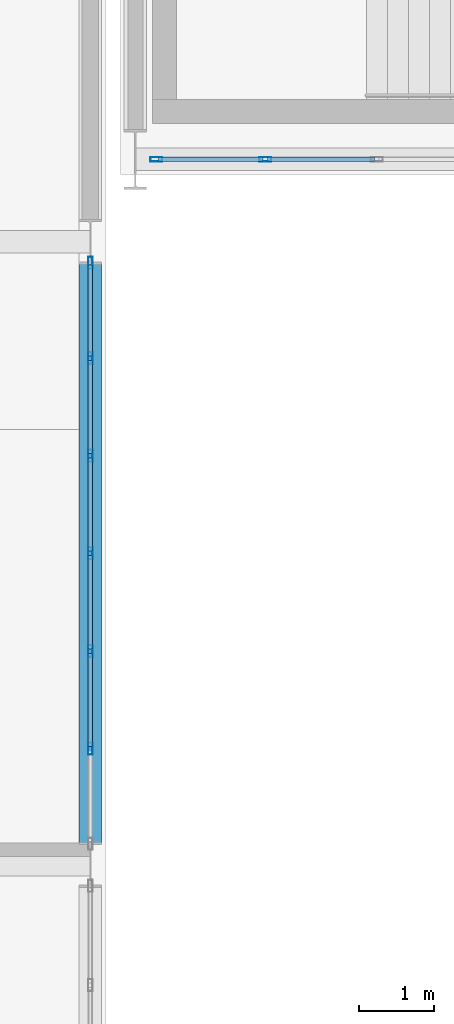
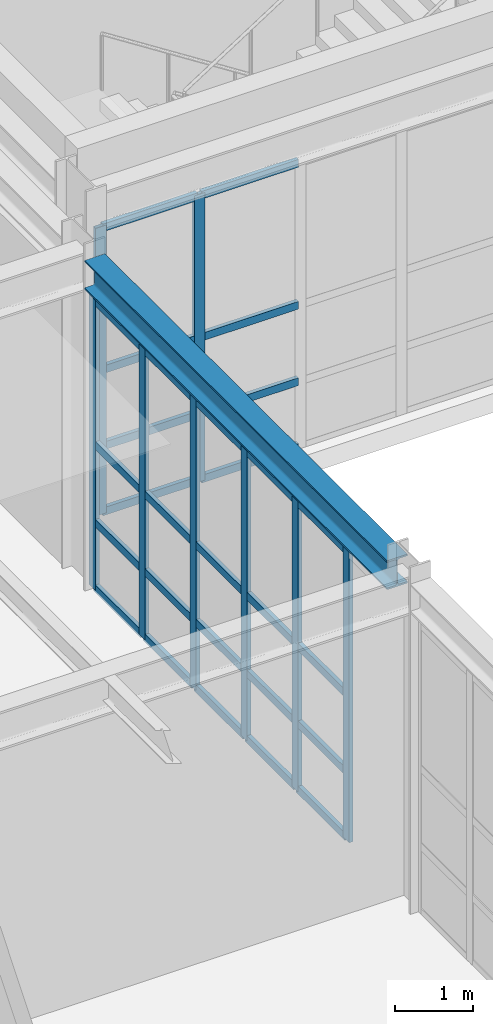
# One storey, part 108 of 210: 36 members, 1 beam, 2 elements without a shape of their own.
"""IFC4 building model written with IfcOpenShell, lengths in metres."""

from ifc_helpers import new_model, si_unit, direction, frame, origin, origin_2d, place, context, subcontext, project, spatial, hollow_rectangle, i_section, extrude, material, material_profile, profile_set, type_object, element, aggregate, save


model = new_model("IFC4")

# Units and contexts
model_context = context("Model", 3, precision=1e-05, world=origin(), true_north=direction((0.0, 1.0)))
body_context = subcontext(model_context, "Body", "Model", "MODEL_VIEW")
ifc_project = project(units=[si_unit("LENGTHUNIT", "METRE"), si_unit("AREAUNIT", "SQUARE_METRE"), si_unit("VOLUMEUNIT", "CUBIC_METRE"), si_unit("PLANEANGLEUNIT", "RADIAN"), si_unit("MASSUNIT", "GRAM", prefix="KILO")], contexts=[model_context])

# Site, building, storey
site_placement = place(None, origin())
site = spatial("IfcSite", under=ifc_project, at=site_placement, CompositionType="ELEMENT")
building_placement = place(site_placement, origin())
building = spatial("IfcBuilding", under=site, at=building_placement, Name="Kaldris Quays Convention Centre", CompositionType="ELEMENT")
storey_placement = place(building_placement, frame((0.0, 0.0, 6.0)))
storey = spatial("IfcBuildingStorey", under=building, at=storey_placement, Name="L01", CompositionType="ELEMENT", Elevation=6.0)

# Curtain wall, members
ifc_material_1 = material(Name="Anodized aluminium AW-6060 and triple glazing", Category="aluminium")
curtain_wall_type_1 = type_object("IfcCurtainWallType", Name="UNITISED CURTAIN WALL CW01", PredefinedType="NOTDEFINED", material=ifc_material_1)
curtain_wall_1_placement = place(storey_placement, origin())
curtain_wall_1 = element("IfcCurtainWall", 1, at=curtain_wall_1_placement, inside=storey, type_object=curtain_wall_type_1, Name="L01 Unitised Curtain Wall CW01 22", PredefinedType="NOTDEFINED")
ifc_material_2 = material(Name="Anodized aluminium AW-6060", Category="aluminium")
ifc_material_profile_1 = material_profile(ifc_material_2, hollow_rectangle(XDim=0.06005859375, YDim=0.159912109375, WallThickness=0.00390625, at=origin_2d()), Name="RHS 160x60x4")
ifc_profile_set_1 = profile_set([ifc_material_profile_1], Name="Anodized aluminium AW-6060")
member_type_1 = type_object("IfcMemberType", Name="CURTAIN MULLION CWM1", PredefinedType="MULLION", material=ifc_profile_set_1)
member_1_placement = place(storey_placement, frame((164.8798828125, 56.0, 0.0), z_axis=(0.0, 0.0, 1.0), x_axis=(0.0, 1.0, 0.0)))
member_1 = element("IfcMember", 2, at=member_1_placement, type_object=member_type_1, Name="CW01 mullion 1", PredefinedType="MULLION", context=body_context, shape_type="SweptSolid", body=[
    extrude(hollow_rectangle(XDim=0.06005859375, YDim=0.159912109375, WallThickness=0.00390625, at=origin_2d()), origin(), (0.0, 0.0, 1.0), 4.47802734375),
])
member_2_placement = place(storey_placement, frame((166.333251953125, 56.0, 0.0), z_axis=(0.0, 0.0, 1.0), x_axis=(0.0, 1.0, 0.0)))
member_2 = element("IfcMember", 3, at=member_2_placement, type_object=member_type_1, Name="CW01 mullion 2", PredefinedType="MULLION", context=body_context, shape_type="SweptSolid", body=[
    extrude(hollow_rectangle(XDim=0.06005859375, YDim=0.159912109375, WallThickness=0.00390625, at=origin_2d()), origin(), (0.0, 0.0, 1.0), 4.47802734375),
])

curtain_wall_type_2 = type_object("IfcCurtainWallType", Name="UNITISED CURTAIN WALL CW04", PredefinedType="NOTDEFINED", material=ifc_material_1)
curtain_wall_2_placement = place(storey_placement, origin())
curtain_wall_2 = element("IfcCurtainWall", 4, at=curtain_wall_2_placement, inside=storey, type_object=curtain_wall_type_2, Name="L01 Unitised Curtain Wall CW04 139", PredefinedType="NOTDEFINED")
member_3_placement = place(storey_placement, frame((164.0, 48.14990234375, 0.0), z_axis=(0.0, 0.0, 1.0), x_axis=(-1.0, 0.0, 0.0)))
member_3 = element("IfcMember", 5, at=member_3_placement, type_object=member_type_1, Name="CW04 mullion 2", PredefinedType="MULLION", context=body_context, shape_type="SweptSolid", body=[
    extrude(hollow_rectangle(XDim=0.06005859375, YDim=0.159912109375, WallThickness=0.00390625, at=origin_2d()), origin(), (0.0, 0.0, 1.0), 4.51806640625),
])
member_4_placement = place(storey_placement, frame((164.0, 49.449951171875, 0.0), z_axis=(0.0, 0.0, 1.0), x_axis=(-1.0, 0.0, 0.0)))
member_4 = element("IfcMember", 6, at=member_4_placement, type_object=member_type_1, Name="CW04 mullion 3", PredefinedType="MULLION", context=body_context, shape_type="SweptSolid", body=[
    extrude(hollow_rectangle(XDim=0.06005859375, YDim=0.159912109375, WallThickness=0.00390625, at=origin_2d()), origin(), (0.0, 0.0, 1.0), 4.51806640625),
])
member_5_placement = place(storey_placement, frame((164.0, 50.75, 0.0), z_axis=(0.0, 0.0, 1.0), x_axis=(-1.0, 0.0, 0.0)))
member_5 = element("IfcMember", 7, at=member_5_placement, type_object=member_type_1, Name="CW04 mullion 4", PredefinedType="MULLION", context=body_context, shape_type="SweptSolid", body=[
    extrude(hollow_rectangle(XDim=0.06005859375, YDim=0.159912109375, WallThickness=0.00390625, at=origin_2d()), origin(), (0.0, 0.0, 1.0), 4.51806640625),
])
member_6_placement = place(storey_placement, frame((164.0, 52.050048828125, 0.0), z_axis=(0.0, 0.0, 1.0), x_axis=(-1.0, 0.0, 0.0)))
member_6 = element("IfcMember", 8, at=member_6_placement, type_object=member_type_1, Name="CW04 mullion 5", PredefinedType="MULLION", context=body_context, shape_type="SweptSolid", body=[
    extrude(hollow_rectangle(XDim=0.06005859375, YDim=0.159912109375, WallThickness=0.00390625, at=origin_2d()), origin(), (0.0, 0.0, 1.0), 4.51806640625),
])
member_7_placement = place(storey_placement, frame((164.0, 53.35009765625, 0.0), z_axis=(0.0, 0.0, 1.0), x_axis=(-1.0, 0.0, 0.0)))
member_7 = element("IfcMember", 9, at=member_7_placement, type_object=member_type_1, Name="CW04 mullion 6", PredefinedType="MULLION", context=body_context, shape_type="SweptSolid", body=[
    extrude(hollow_rectangle(XDim=0.06005859375, YDim=0.159912109375, WallThickness=0.00390625, at=origin_2d()), origin(), (0.0, 0.0, 1.0), 4.51806640625),
])
member_8_placement = place(storey_placement, frame((164.0, 54.6201171875, 0.0), z_axis=(0.0, 0.0, 1.0), x_axis=(-1.0, 0.0, 0.0)))
member_8 = element("IfcMember", 10, at=member_8_placement, type_object=member_type_1, Name="CW04 mullion 7", PredefinedType="MULLION", context=body_context, shape_type="SweptSolid", body=[
    extrude(hollow_rectangle(XDim=0.06005859375, YDim=0.159912109375, WallThickness=0.00390625, at=origin_2d()), origin(), (0.0, 0.0, 1.0), 4.51806640625),
])

# Member
ifc_material_profile_2 = material_profile(ifc_material_2, hollow_rectangle(XDim=0.06005859375, YDim=0.1201171875, WallThickness=0.00390625, at=origin_2d()), Name="RHS 120x60x4")
ifc_profile_set_2 = profile_set([ifc_material_profile_2], Name="Anodized aluminium AW-6060")
member_type_2 = type_object("IfcMemberType", Name="CURTAIN TRANSOM CWT1", PredefinedType="USERDEFINED", material=ifc_profile_set_2)
member_9_placement = place(storey_placement, frame((164.909912109375, 56.0, 0.030029296875), z_axis=(1.0, 0.0, 0.0), x_axis=(0.0, 1.0, 0.0)))
member_9 = element("IfcMember", 11, at=member_9_placement, type_object=member_type_2, Name="CW01 transom 1.1", ObjectType="TRANSOM", PredefinedType="USERDEFINED", context=body_context, shape_type="SweptSolid", body=[
    extrude(hollow_rectangle(XDim=0.06005859375, YDim=0.1201171875, WallThickness=0.00390625, at=origin_2d()), origin(), (0.0, 0.0, 1.0), 1.393310546875),
])

member_10_placement = place(storey_placement, frame((164.909912109375, 56.0, 1.050048828125), z_axis=(1.0, 0.0, 0.0), x_axis=(0.0, 1.0, 0.0)))
member_10 = element("IfcMember", 12, at=member_10_placement, type_object=member_type_2, Name="CW01 transom 1.2", ObjectType="TRANSOM", PredefinedType="USERDEFINED", context=body_context, shape_type="SweptSolid", body=[
    extrude(hollow_rectangle(XDim=0.06005859375, YDim=0.1201171875, WallThickness=0.00390625, at=origin_2d()), origin(), (0.0, 0.0, 1.0), 1.393310546875),
])

member_11_placement = place(storey_placement, frame((164.909912109375, 56.0, 2.239013671875), z_axis=(1.0, 0.0, 0.0), x_axis=(0.0, 1.0, 0.0)))
member_11 = element("IfcMember", 13, at=member_11_placement, type_object=member_type_2, Name="CW01 transom 1.3", ObjectType="TRANSOM", PredefinedType="USERDEFINED", context=body_context, shape_type="SweptSolid", body=[
    extrude(hollow_rectangle(XDim=0.06005859375, YDim=0.1201171875, WallThickness=0.00390625, at=origin_2d()), origin(), (0.0, 0.0, 1.0), 1.393310546875),
])

member_12_placement = place(storey_placement, frame((164.909912109375, 56.0, 4.447998046875), z_axis=(1.0, 0.0, 0.0), x_axis=(0.0, 1.0, 0.0)))
member_12 = element("IfcMember", 14, at=member_12_placement, type_object=member_type_2, Name="CW01 transom 1.4", ObjectType="TRANSOM", PredefinedType="USERDEFINED", context=body_context, shape_type="SweptSolid", body=[
    extrude(hollow_rectangle(XDim=0.06005859375, YDim=0.1201171875, WallThickness=0.00390625, at=origin_2d()), origin(), (0.0, 0.0, 1.0), 1.393310546875),
])

member_13_placement = place(storey_placement, frame((166.36328125, 56.0, 0.030029296875), z_axis=(1.0, 0.0, 0.0), x_axis=(0.0, 1.0, 0.0)))
member_13 = element("IfcMember", 15, at=member_13_placement, type_object=member_type_2, Name="CW01 transom 2.1", ObjectType="TRANSOM", PredefinedType="USERDEFINED", context=body_context, shape_type="SweptSolid", body=[
    extrude(hollow_rectangle(XDim=0.06005859375, YDim=0.1201171875, WallThickness=0.00390625, at=origin_2d()), origin(), (0.0, 0.0, 1.0), 1.42333984375),
])

member_14_placement = place(storey_placement, frame((166.36328125, 56.0, 1.050048828125), z_axis=(1.0, 0.0, 0.0), x_axis=(0.0, 1.0, 0.0)))
member_14 = element("IfcMember", 16, at=member_14_placement, type_object=member_type_2, Name="CW01 transom 2.2", ObjectType="TRANSOM", PredefinedType="USERDEFINED", context=body_context, shape_type="SweptSolid", body=[
    extrude(hollow_rectangle(XDim=0.06005859375, YDim=0.1201171875, WallThickness=0.00390625, at=origin_2d()), origin(), (0.0, 0.0, 1.0), 1.42333984375),
])

member_15_placement = place(storey_placement, frame((166.36328125, 56.0, 2.239013671875), z_axis=(1.0, 0.0, 0.0), x_axis=(0.0, 1.0, 0.0)))
member_15 = element("IfcMember", 17, at=member_15_placement, type_object=member_type_2, Name="CW01 transom 2.3", ObjectType="TRANSOM", PredefinedType="USERDEFINED", context=body_context, shape_type="SweptSolid", body=[
    extrude(hollow_rectangle(XDim=0.06005859375, YDim=0.1201171875, WallThickness=0.00390625, at=origin_2d()), origin(), (0.0, 0.0, 1.0), 1.42333984375),
])

member_16_placement = place(storey_placement, frame((166.36328125, 56.0, 4.447998046875), z_axis=(1.0, 0.0, 0.0), x_axis=(0.0, 1.0, 0.0)))
member_16 = element("IfcMember", 18, at=member_16_placement, type_object=member_type_2, Name="CW01 transom 2.4", ObjectType="TRANSOM", PredefinedType="USERDEFINED", context=body_context, shape_type="SweptSolid", body=[
    extrude(hollow_rectangle(XDim=0.06005859375, YDim=0.1201171875, WallThickness=0.00390625, at=origin_2d()), origin(), (0.0, 0.0, 1.0), 1.42333984375),
])

aggregate(curtain_wall_1, [member_1, member_2, member_9, member_10, member_11, member_12, member_13, member_14, member_15, member_16])

member_17_placement = place(storey_placement, frame((164.0, 48.179931640625, 0.030029296875), z_axis=(0.0, 1.0, 0.0), x_axis=(-1.0, 0.0, 0.0)))
member_17 = element("IfcMember", 19, at=member_17_placement, type_object=member_type_2, Name="CW04 transom 2.1", ObjectType="TRANSOM", PredefinedType="USERDEFINED", context=body_context, shape_type="SweptSolid", body=[
    extrude(hollow_rectangle(XDim=0.06005859375, YDim=0.1201171875, WallThickness=0.00390625, at=origin_2d()), origin(), (0.0, 0.0, 1.0), 1.239990234375),
])

member_18_placement = place(storey_placement, frame((164.0, 48.179931640625, 1.050048828125), z_axis=(0.0, 1.0, 0.0), x_axis=(-1.0, 0.0, 0.0)))
member_18 = element("IfcMember", 20, at=member_18_placement, type_object=member_type_2, Name="CW04 transom 2.2", ObjectType="TRANSOM", PredefinedType="USERDEFINED", context=body_context, shape_type="SweptSolid", body=[
    extrude(hollow_rectangle(XDim=0.06005859375, YDim=0.1201171875, WallThickness=0.00390625, at=origin_2d()), origin(), (0.0, 0.0, 1.0), 1.239990234375),
])

member_19_placement = place(storey_placement, frame((164.0, 48.179931640625, 2.259033203125), z_axis=(0.0, 1.0, 0.0), x_axis=(-1.0, 0.0, 0.0)))
member_19 = element("IfcMember", 21, at=member_19_placement, type_object=member_type_2, Name="CW04 transom 2.3", ObjectType="TRANSOM", PredefinedType="USERDEFINED", context=body_context, shape_type="SweptSolid", body=[
    extrude(hollow_rectangle(XDim=0.06005859375, YDim=0.1201171875, WallThickness=0.00390625, at=origin_2d()), origin(), (0.0, 0.0, 1.0), 1.239990234375),
])

member_20_placement = place(storey_placement, frame((164.0, 48.179931640625, 4.488037109375), z_axis=(0.0, 1.0, 0.0), x_axis=(-1.0, 0.0, 0.0)))
member_20 = element("IfcMember", 22, at=member_20_placement, type_object=member_type_2, Name="CW04 transom 2.4", ObjectType="TRANSOM", PredefinedType="USERDEFINED", context=body_context, shape_type="SweptSolid", body=[
    extrude(hollow_rectangle(XDim=0.06005859375, YDim=0.1201171875, WallThickness=0.00390625, at=origin_2d()), origin(), (0.0, 0.0, 1.0), 1.239990234375),
])

member_21_placement = place(storey_placement, frame((164.0, 49.47998046875, 0.030029296875), z_axis=(0.0, 1.0, 0.0), x_axis=(-1.0, 0.0, 0.0)))
member_21 = element("IfcMember", 23, at=member_21_placement, type_object=member_type_2, Name="CW04 transom 3.1", ObjectType="TRANSOM", PredefinedType="USERDEFINED", context=body_context, shape_type="SweptSolid", body=[
    extrude(hollow_rectangle(XDim=0.06005859375, YDim=0.1201171875, WallThickness=0.00390625, at=origin_2d()), origin(), (0.0, 0.0, 1.0), 1.239990234375),
])

member_22_placement = place(storey_placement, frame((164.0, 49.47998046875, 1.050048828125), z_axis=(0.0, 1.0, 0.0), x_axis=(-1.0, 0.0, 0.0)))
member_22 = element("IfcMember", 24, at=member_22_placement, type_object=member_type_2, Name="CW04 transom 3.2", ObjectType="TRANSOM", PredefinedType="USERDEFINED", context=body_context, shape_type="SweptSolid", body=[
    extrude(hollow_rectangle(XDim=0.06005859375, YDim=0.1201171875, WallThickness=0.00390625, at=origin_2d()), origin(), (0.0, 0.0, 1.0), 1.239990234375),
])

member_23_placement = place(storey_placement, frame((164.0, 49.47998046875, 2.259033203125), z_axis=(0.0, 1.0, 0.0), x_axis=(-1.0, 0.0, 0.0)))
member_23 = element("IfcMember", 25, at=member_23_placement, type_object=member_type_2, Name="CW04 transom 3.3", ObjectType="TRANSOM", PredefinedType="USERDEFINED", context=body_context, shape_type="SweptSolid", body=[
    extrude(hollow_rectangle(XDim=0.06005859375, YDim=0.1201171875, WallThickness=0.00390625, at=origin_2d()), origin(), (0.0, 0.0, 1.0), 1.239990234375),
])

member_24_placement = place(storey_placement, frame((164.0, 49.47998046875, 4.488037109375), z_axis=(0.0, 1.0, 0.0), x_axis=(-1.0, 0.0, 0.0)))
member_24 = element("IfcMember", 26, at=member_24_placement, type_object=member_type_2, Name="CW04 transom 3.4", ObjectType="TRANSOM", PredefinedType="USERDEFINED", context=body_context, shape_type="SweptSolid", body=[
    extrude(hollow_rectangle(XDim=0.06005859375, YDim=0.1201171875, WallThickness=0.00390625, at=origin_2d()), origin(), (0.0, 0.0, 1.0), 1.239990234375),
])

member_25_placement = place(storey_placement, frame((164.0, 50.780029296875, 0.030029296875), z_axis=(0.0, 1.0, 0.0), x_axis=(-1.0, 0.0, 0.0)))
member_25 = element("IfcMember", 27, at=member_25_placement, type_object=member_type_2, Name="CW04 transom 4.1", ObjectType="TRANSOM", PredefinedType="USERDEFINED", context=body_context, shape_type="SweptSolid", body=[
    extrude(hollow_rectangle(XDim=0.06005859375, YDim=0.1201171875, WallThickness=0.00390625, at=origin_2d()), origin(), (0.0, 0.0, 1.0), 1.239990234375),
])

member_26_placement = place(storey_placement, frame((164.0, 50.780029296875, 1.050048828125), z_axis=(0.0, 1.0, 0.0), x_axis=(-1.0, 0.0, 0.0)))
member_26 = element("IfcMember", 28, at=member_26_placement, type_object=member_type_2, Name="CW04 transom 4.2", ObjectType="TRANSOM", PredefinedType="USERDEFINED", context=body_context, shape_type="SweptSolid", body=[
    extrude(hollow_rectangle(XDim=0.06005859375, YDim=0.1201171875, WallThickness=0.00390625, at=origin_2d()), origin(), (0.0, 0.0, 1.0), 1.239990234375),
])

member_27_placement = place(storey_placement, frame((164.0, 50.780029296875, 2.259033203125), z_axis=(0.0, 1.0, 0.0), x_axis=(-1.0, 0.0, 0.0)))
member_27 = element("IfcMember", 29, at=member_27_placement, type_object=member_type_2, Name="CW04 transom 4.3", ObjectType="TRANSOM", PredefinedType="USERDEFINED", context=body_context, shape_type="SweptSolid", body=[
    extrude(hollow_rectangle(XDim=0.06005859375, YDim=0.1201171875, WallThickness=0.00390625, at=origin_2d()), origin(), (0.0, 0.0, 1.0), 1.239990234375),
])

member_28_placement = place(storey_placement, frame((164.0, 50.780029296875, 4.488037109375), z_axis=(0.0, 1.0, 0.0), x_axis=(-1.0, 0.0, 0.0)))
member_28 = element("IfcMember", 30, at=member_28_placement, type_object=member_type_2, Name="CW04 transom 4.4", ObjectType="TRANSOM", PredefinedType="USERDEFINED", context=body_context, shape_type="SweptSolid", body=[
    extrude(hollow_rectangle(XDim=0.06005859375, YDim=0.1201171875, WallThickness=0.00390625, at=origin_2d()), origin(), (0.0, 0.0, 1.0), 1.239990234375),
])

member_29_placement = place(storey_placement, frame((164.0, 52.080078125, 0.030029296875), z_axis=(0.0, 1.0, 0.0), x_axis=(-1.0, 0.0, 0.0)))
member_29 = element("IfcMember", 31, at=member_29_placement, type_object=member_type_2, Name="CW04 transom 5.1", ObjectType="TRANSOM", PredefinedType="USERDEFINED", context=body_context, shape_type="SweptSolid", body=[
    extrude(hollow_rectangle(XDim=0.06005859375, YDim=0.1201171875, WallThickness=0.00390625, at=origin_2d()), origin(), (0.0, 0.0, 1.0), 1.239990234375),
])

member_30_placement = place(storey_placement, frame((164.0, 52.080078125, 1.050048828125), z_axis=(0.0, 1.0, 0.0), x_axis=(-1.0, 0.0, 0.0)))
member_30 = element("IfcMember", 32, at=member_30_placement, type_object=member_type_2, Name="CW04 transom 5.2", ObjectType="TRANSOM", PredefinedType="USERDEFINED", context=body_context, shape_type="SweptSolid", body=[
    extrude(hollow_rectangle(XDim=0.06005859375, YDim=0.1201171875, WallThickness=0.00390625, at=origin_2d()), origin(), (0.0, 0.0, 1.0), 1.239990234375),
])

member_31_placement = place(storey_placement, frame((164.0, 52.080078125, 2.259033203125), z_axis=(0.0, 1.0, 0.0), x_axis=(-1.0, 0.0, 0.0)))
member_31 = element("IfcMember", 33, at=member_31_placement, type_object=member_type_2, Name="CW04 transom 5.3", ObjectType="TRANSOM", PredefinedType="USERDEFINED", context=body_context, shape_type="SweptSolid", body=[
    extrude(hollow_rectangle(XDim=0.06005859375, YDim=0.1201171875, WallThickness=0.00390625, at=origin_2d()), origin(), (0.0, 0.0, 1.0), 1.239990234375),
])

member_32_placement = place(storey_placement, frame((164.0, 52.080078125, 4.488037109375), z_axis=(0.0, 1.0, 0.0), x_axis=(-1.0, 0.0, 0.0)))
member_32 = element("IfcMember", 34, at=member_32_placement, type_object=member_type_2, Name="CW04 transom 5.4", ObjectType="TRANSOM", PredefinedType="USERDEFINED", context=body_context, shape_type="SweptSolid", body=[
    extrude(hollow_rectangle(XDim=0.06005859375, YDim=0.1201171875, WallThickness=0.00390625, at=origin_2d()), origin(), (0.0, 0.0, 1.0), 1.239990234375),
])

member_33_placement = place(storey_placement, frame((164.0, 53.3798828125, 0.030029296875), z_axis=(0.0, 1.0, 0.0), x_axis=(-1.0, 0.0, 0.0)))
member_33 = element("IfcMember", 35, at=member_33_placement, type_object=member_type_2, Name="CW04 transom 6.1", ObjectType="TRANSOM", PredefinedType="USERDEFINED", context=body_context, shape_type="SweptSolid", body=[
    extrude(hollow_rectangle(XDim=0.06005859375, YDim=0.1201171875, WallThickness=0.00390625, at=origin_2d()), origin(), (0.0, 0.0, 1.0), 1.210205078125),
])

member_34_placement = place(storey_placement, frame((164.0, 53.3798828125, 1.050048828125), z_axis=(0.0, 1.0, 0.0), x_axis=(-1.0, 0.0, 0.0)))
member_34 = element("IfcMember", 36, at=member_34_placement, type_object=member_type_2, Name="CW04 transom 6.2", ObjectType="TRANSOM", PredefinedType="USERDEFINED", context=body_context, shape_type="SweptSolid", body=[
    extrude(hollow_rectangle(XDim=0.06005859375, YDim=0.1201171875, WallThickness=0.00390625, at=origin_2d()), origin(), (0.0, 0.0, 1.0), 1.210205078125),
])

member_35_placement = place(storey_placement, frame((164.0, 53.3798828125, 2.259033203125), z_axis=(0.0, 1.0, 0.0), x_axis=(-1.0, 0.0, 0.0)))
member_35 = element("IfcMember", 37, at=member_35_placement, type_object=member_type_2, Name="CW04 transom 6.3", ObjectType="TRANSOM", PredefinedType="USERDEFINED", context=body_context, shape_type="SweptSolid", body=[
    extrude(hollow_rectangle(XDim=0.06005859375, YDim=0.1201171875, WallThickness=0.00390625, at=origin_2d()), origin(), (0.0, 0.0, 1.0), 1.210205078125),
])

member_36_placement = place(storey_placement, frame((164.0, 53.3798828125, 4.488037109375), z_axis=(0.0, 1.0, 0.0), x_axis=(-1.0, 0.0, 0.0)))
member_36 = element("IfcMember", 38, at=member_36_placement, type_object=member_type_2, Name="CW04 transom 6.4", ObjectType="TRANSOM", PredefinedType="USERDEFINED", context=body_context, shape_type="SweptSolid", body=[
    extrude(hollow_rectangle(XDim=0.06005859375, YDim=0.1201171875, WallThickness=0.00390625, at=origin_2d()), origin(), (0.0, 0.0, 1.0), 1.210205078125),
])

aggregate(curtain_wall_2, [member_3, member_4, member_5, member_6, member_7, member_8, member_17, member_18, member_19, member_20, member_21, member_22, member_23, member_24, member_25, member_26, member_27, member_28, member_29, member_30, member_31, member_32, member_33, member_34, member_35, member_36])

# Beam
ifc_material_3 = material(Name="Steel S355J2", Category="steel")
ifc_material_profile_3 = material_profile(ifc_material_3, i_section(OverallWidth=0.300048828125, OverallDepth=0.449951171875, WebThickness=0.013916015625, FlangeThickness=0.02587890625, FilletRadius=0.027099609375, at=origin_2d()), Name="HEB 450")
ifc_profile_set_3 = profile_set([ifc_material_profile_3], Name="Steel S355J2")
beam_type = type_object("IfcBeamType", Name="STRUCTURAL BEAM BM07", PredefinedType="BEAM", material=ifc_profile_set_3)
beam_placement = place(storey_placement, frame((164.0, 46.89404296875, 4.91796875), z_axis=(0.0, 1.0, 0.0), x_axis=(-1.0, 0.0, 0.0)))
element("IfcBeam", 39, at=beam_placement, inside=storey, type_object=beam_type, Name="L01 Girder BM07 91", PredefinedType="BEAM", context=body_context, shape_type="SweptSolid", body=[
    extrude(i_section(OverallWidth=0.300048828125, OverallDepth=0.449951171875, WebThickness=0.013916015625, FlangeThickness=0.02587890625, FilletRadius=0.027099609375, at=origin_2d()), origin(), (0.0, 0.0, 1.0), 7.7119140625),
])

save(model, "model.ifc")
